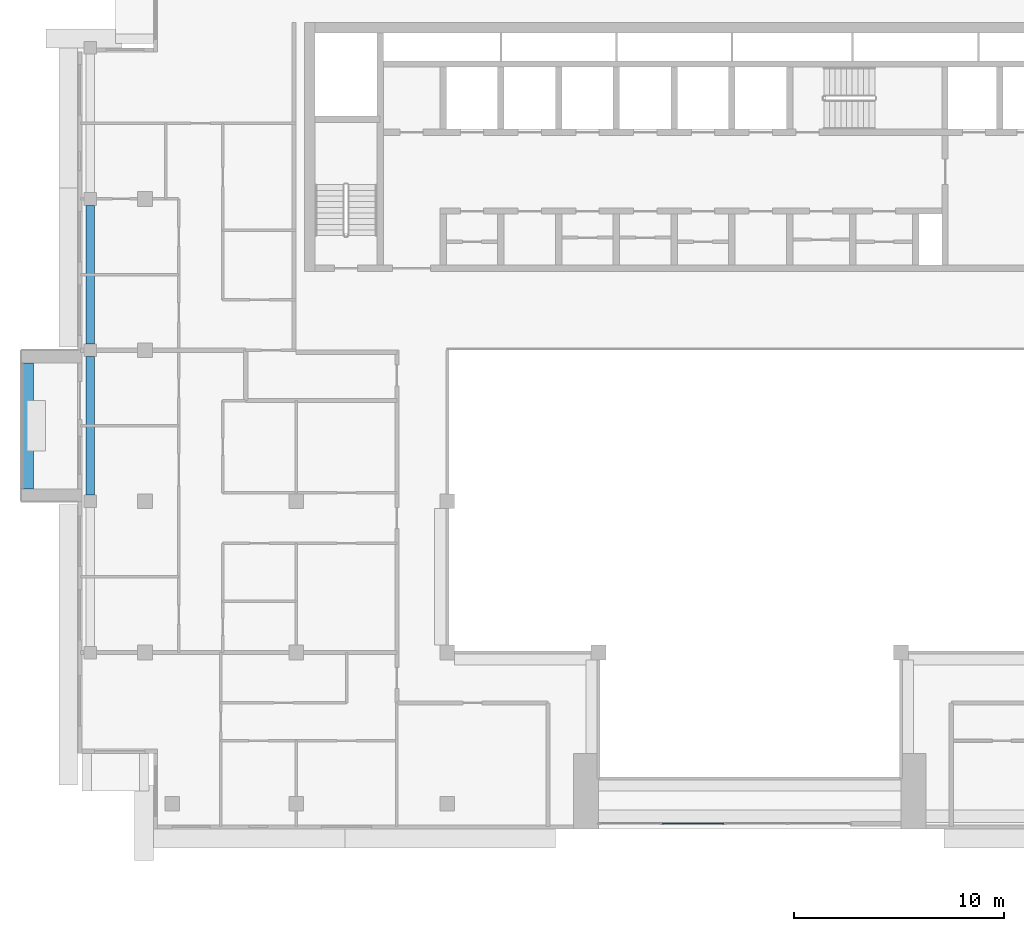
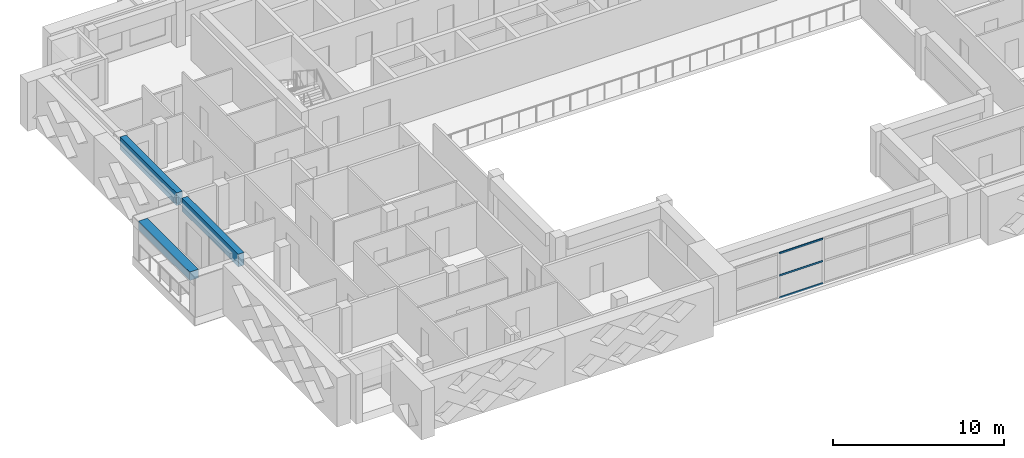
# One storey, part 3 of 19: 3 beams, 3 members, 1 element without a shape of its own.
"""IFC4 building model written with IfcOpenShell, lengths in metres."""

from ifc_helpers import new_model, si_unit, direction, frame, origin, origin_2d, place, context, subcontext, project, spatial, rectangle, extrude, source, transform, mapped, material, layer, layer_set, material_profile, profile_set, type_object, element, aggregate, save


model = new_model("IFC4")

# Units and contexts
model_context = context("Model", 3, precision=1e-05, world=origin(), true_north=direction((0.0, 1.0)))
body_context = subcontext(model_context, "Body", "Model", "MODEL_VIEW")
ifc_project = project(units=[si_unit("LENGTHUNIT", "METRE"), si_unit("AREAUNIT", "SQUARE_METRE"), si_unit("VOLUMEUNIT", "CUBIC_METRE"), si_unit("PLANEANGLEUNIT", "RADIAN"), si_unit("MASSUNIT", "GRAM", prefix="KILO")], contexts=[model_context])

# Site, building, storey
site_placement = place(None, origin())
site = spatial("IfcSite", under=ifc_project, at=site_placement, CompositionType="ELEMENT")
building_placement = place(site_placement, origin())
building = spatial("IfcBuilding", under=site, at=building_placement, Name="Saffron Iwan Residences", CompositionType="ELEMENT")
storey_placement = place(building_placement, frame((0.0, 0.0, 264.0)))
storey = spatial("IfcBuildingStorey", under=building, at=storey_placement, Name="L71", CompositionType="ELEMENT", Elevation=264.0)

# Beams
ifc_material_1 = material(Name="Concrete C40/50", Category="concrete")
ifc_material_profile_1 = material_profile(ifc_material_1, rectangle(XDim=0.39990234375, YDim=0.89990234375, at=origin_2d()), Name="RC 400x900")
ifc_profile_set_1 = profile_set([ifc_material_profile_1], Name="Concrete C40/50")
beam_type_1 = type_object("IfcBeamType", Name="SPANDREL BEAM RC 400x900 C40/50 TOP 3220", PredefinedType="SPANDREL", material=ifc_profile_set_1)
shared_shape_1 = source(origin(), body_context, "Body", "SweptSolid", [
    extrude(rectangle(XDim=0.39990234375, YDim=0.89990234375, at=origin_2d()), origin(), (0.0, 0.0, 1.0), 6.60009765625),
])
for number, where, z_axis, x_axis, name in (
    (1, (19.0, 55.5, 2.77001953125), (0.0, 1.0, 0.0), (-1.0, 0.0, 0.0), "Spandrel beam"),
    (2, (19.0, 62.699951171875, 2.77001953125), (0.0, 1.0, 0.0), (-1.0, 0.0, 0.0), "Spandrel beam"),
):
    element("IfcBeam", number, at=place(storey_placement, frame(where, z_axis=z_axis, x_axis=x_axis)), inside=storey, type_object=beam_type_1, Name=name, PredefinedType="SPANDREL", context=body_context, shape_type="MappedRepresentation", body=[
        mapped(shared_shape_1, transform((0.0, 0.0, 0.0))),
    ])

# Curtain wall, members
ifc_material_2 = material(Name="Clear glass, laminated double glazed", Category="glass")
ifc_layer = layer(ifc_material_2, 0.199951171875)
ifc_layer_set = layer_set([ifc_layer], Name="Clear glass, laminated double glazed")
curtain_wall_type = type_object("IfcCurtainWallType", Name="CW-B IWAN PORTAL", PredefinedType="NOTDEFINED", material=ifc_layer_set)
curtain_wall_placement = place(storey_placement, origin())
curtain_wall = element("IfcCurtainWall", 3, at=curtain_wall_placement, inside=storey, type_object=curtain_wall_type, Name="Iwan portal glazing L71.1", PredefinedType="NOTDEFINED")
ifc_material_3 = material(Name="Aluminium 6063-T6", Category="aluminium")
ifc_material_profile_2 = material_profile(ifc_material_3, rectangle(XDim=0.06005859375, YDim=0.1201171875, at=origin_2d()), Name="CW-B TRANSOM 60 x 120")
ifc_profile_set_2 = profile_set([ifc_material_profile_2], Name="Aluminium 6063-T6")
member_type = type_object("IfcMemberType", Name="CW-B TRANSOM 60 x 120", PredefinedType="USERDEFINED", material=ifc_profile_set_2)
shared_shape_2 = source(origin(), body_context, "Body", "SweptSolid", [
    extrude(rectangle(XDim=0.06005859375, YDim=0.1201171875, at=origin_2d()), origin(), (0.0, 0.0, 1.0), 2.93994140625),
])
member_1_placement = place(storey_placement, frame((46.22998046875, 39.85009765625, 0.030029296875), z_axis=(1.0, 0.0, 0.0), x_axis=(0.0, 1.0, 0.0)))
member_1 = element("IfcMember", 4, at=member_1_placement, type_object=member_type, Name="CW-B transom 2.1", ObjectType="TRANSOM", PredefinedType="USERDEFINED", context=body_context, shape_type="MappedRepresentation", body=[
    mapped(shared_shape_2, transform((0.0, 0.0, 0.0))),
])
member_2_placement = place(storey_placement, frame((46.22998046875, 39.85009765625, 1.610107421875), z_axis=(1.0, 0.0, 0.0), x_axis=(0.0, 1.0, 0.0)))
member_2 = element("IfcMember", 5, at=member_2_placement, type_object=member_type, Name="CW-B transom 2.2", ObjectType="TRANSOM", PredefinedType="USERDEFINED", context=body_context, shape_type="MappedRepresentation", body=[
    mapped(shared_shape_2, transform((0.0, 0.0, 0.0))),
])
member_3_placement = place(storey_placement, frame((46.22998046875, 39.85009765625, 3.18994140625), z_axis=(1.0, 0.0, 0.0), x_axis=(0.0, 1.0, 0.0)))
member_3 = element("IfcMember", 6, at=member_3_placement, type_object=member_type, Name="CW-B transom 2.3", ObjectType="TRANSOM", PredefinedType="USERDEFINED", context=body_context, shape_type="MappedRepresentation", body=[
    mapped(shared_shape_2, transform((0.0, 0.0, 0.0))),
])
aggregate(curtain_wall, [member_1, member_2, member_3])

# Beam
ifc_material_4 = material(Name="Concrete C50/60 white painted", Category="concrete")
ifc_material_profile_3 = material_profile(ifc_material_4, rectangle(XDim=0.60009765625, YDim=0.60009765625, at=origin_2d()), Name="BALCONY FASCIA BEAM 600 x 600")
ifc_profile_set_3 = profile_set([ifc_material_profile_3], Name="Concrete C50/60 white painted")
beam_type_2 = type_object("IfcBeamType", Name="BALCONY FASCIA BEAM 600 x 600", PredefinedType="BEAM", material=ifc_profile_set_3)
shared_shape_3 = source(origin(), body_context, "Body", "SweptSolid", [
    extrude(rectangle(XDim=0.60009765625, YDim=0.60009765625, at=origin_2d()), origin(), (0.0, 0.0, 1.0), 6.0),
])
beam_placement = place(storey_placement, frame((16.0, 61.800048828125, 2.550048828125), z_axis=(0.0, -1.0, 0.0), x_axis=(1.0, 0.0, 0.0)))
element("IfcBeam", 7, at=beam_placement, inside=storey, type_object=beam_type_2, Name="Balcony fascia beam L71 F8-0", PredefinedType="BEAM", context=body_context, shape_type="MappedRepresentation", body=[
    mapped(shared_shape_3, transform((0.0, 0.0, 0.0))),
])

save(model, "model.ifc")
